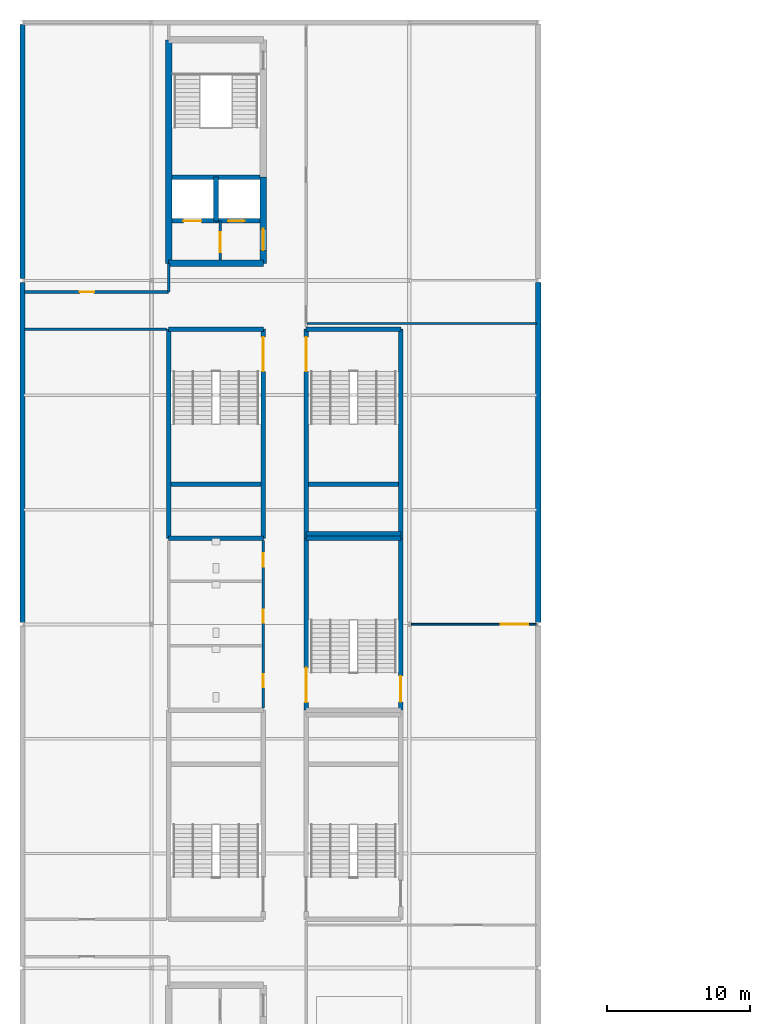
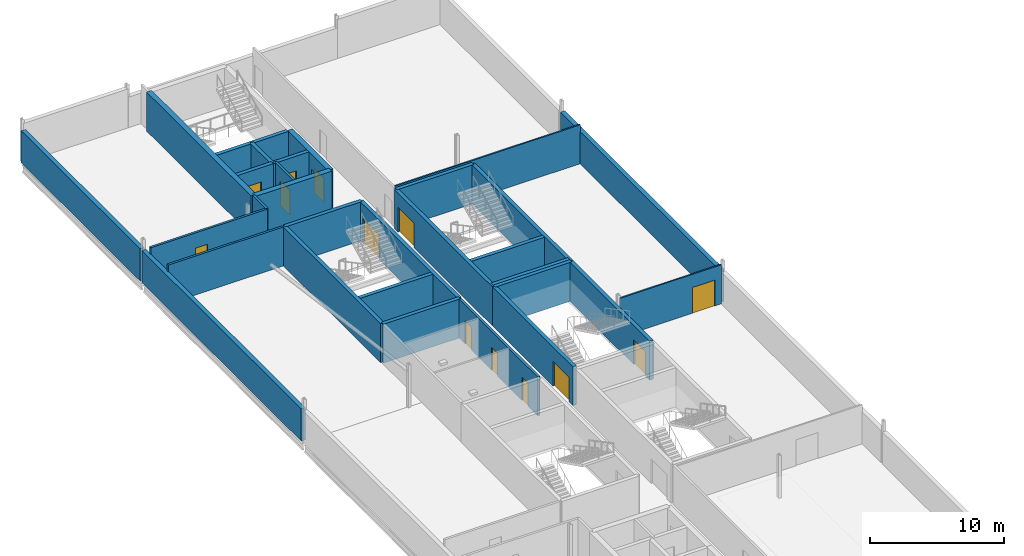
# One storey, part 15 of 30: 30 walls, 13 doors, 13 openings.
"""IFC4 building model written with IfcOpenShell, lengths in metres."""

from ifc_helpers import new_model, si_unit, direction, frame, frame_2d, origin, place, context, subcontext, project, spatial, rectangle, extrude, material, layer, layer_set, type_object, element, fill, save


model = new_model("IFC4")

# Units and contexts
model_context = context("Model", 3, precision=1e-05, world=origin(), true_north=direction((0.0, 1.0)))
body_context = subcontext(model_context, "Body", "Model", "MODEL_VIEW")
ifc_project = project(units=[si_unit("LENGTHUNIT", "METRE"), si_unit("AREAUNIT", "SQUARE_METRE"), si_unit("VOLUMEUNIT", "CUBIC_METRE"), si_unit("PLANEANGLEUNIT", "RADIAN"), si_unit("MASSUNIT", "GRAM", prefix="KILO")], contexts=[model_context])

# Site, building, storey
site_placement = place(None, origin())
site = spatial("IfcSite", under=ifc_project, at=site_placement, CompositionType="ELEMENT")
building_placement = place(site_placement, origin())
building = spatial("IfcBuilding", under=site, at=building_placement, Name="Kisiwana Market Hall", CompositionType="ELEMENT")
storey_placement = place(building_placement, frame((0.0, 0.0, 54.0)))
storey = spatial("IfcBuildingStorey", under=building, at=storey_placement, Name="L12", CompositionType="ELEMENT", Elevation=54.0)

# Wall, opening, door
ifc_material_1 = material(Name="Masonry blockwork", Category="masonry")
ifc_layer_1 = layer(ifc_material_1, 0.199951171875, Name="Plastered fire compartment block wall")
ifc_layer_set_1 = layer_set([ifc_layer_1], Name="WL-COMP-200")
wall_type_1 = type_object("IfcWallType", Name="WL-COMP-200", PredefinedType="PARTITIONING", material=ifc_layer_set_1)
wall_1_placement = place(storey_placement, frame((13.800048828125, 85.425048828125, 0.0), z_axis=(0.0, 0.0, 1.0), x_axis=(0.0, 1.0, 0.0)))
wall_1 = element("IfcWall", 1, at=wall_1_placement, inside=storey, type_object=wall_type_1, Name="Core W1 firefighting lobby wall W-3012", PredefinedType="PARTITIONING", context=body_context, shape_type="SweptSolid", body=[
    extrude(rectangle(XDim=2.72998046875, YDim=0.199951171875, at=frame_2d((1.364990234375, 0.0))), origin(), (0.0, 0.0, 1.0), 3.544921875),
])
opening_1_placement = place(wall_1_placement, frame((0.550048828125, 0.0, 0.0)))
opening_1 = element("IfcOpeningElement", 2, at=opening_1_placement, cuts=wall_1, Name="Opening DR-L12-006", PredefinedType="OPENING", context=body_context, shape_type="SweptSolid", body=[
    extrude(rectangle(XDim=1.39990234375, YDim=2.25, at=frame_2d((0.699951171875, 1.125))), frame((0.0, 0.11181640625, 0.0), z_axis=(0.0, -1.0, 0.0), x_axis=(1.0, 0.0, 0.0)), (0.0, 0.0, 1.0), 0.223876953125),
])
ifc_material_2 = material(Name="Steel S275", Category="steel")
door_type_1 = type_object("IfcDoorType", Name="DR-FFLOB-FD120-1400", OperationType="DOUBLE_DOOR_SINGLE_SWING", PredefinedType="DOOR", material=ifc_material_2)
door_1_placement = place(opening_1_placement, frame((1.39990234375, 0.0, 0.0), z_axis=(0.0, 0.0, 1.0), x_axis=(-1.0, 0.0, 0.0)))
door_1 = element("IfcDoor", 3, at=door_1_placement, inside=storey, type_object=door_type_1, Name="Firefighting Lift Lobby W1 Door (L12)", OperationType="DOUBLE_DOOR_SINGLE_SWING", OverallHeight=2.25, OverallWidth=1.39990234375, PredefinedType="DOOR", context=body_context, shape_type="SweptSolid", body=[
    extrude(rectangle(XDim=1.39990234375, YDim=2.25, at=frame_2d((0.699951171875, 1.125))), frame((0.0, 0.02490234375, 0.0), z_axis=(0.0, -1.0, 0.0), x_axis=(1.0, 0.0, 0.0)), (0.0, 0.0, 1.0), 0.050048828125),
])
fill(opening_1, door_1)

# Wall, openings, doors
wall_2_placement = place(storey_placement, frame((16.800048828125, 54.159912109375, 0.0), z_axis=(0.0, 0.0, 1.0), x_axis=(0.0, 1.0, 0.0)))
wall_2 = element("IfcWall", 4, at=wall_2_placement, inside=storey, type_object=wall_type_1, Name="Interior partition W-3016", PredefinedType="PARTITIONING", context=body_context, shape_type="SweptSolid", body=[
    extrude(rectangle(XDim=11.68017578125, YDim=0.199951171875, at=frame_2d((5.840087890625, 0.0))), origin(), (0.0, 0.0, 1.0), 3.544921875),
])
opening_2_placement = place(wall_2_placement, frame((1.43994140625, 0.0, 0.0)))
opening_2 = element("IfcOpeningElement", 5, at=opening_2_placement, cuts=wall_2, Name="Opening DR-L12-027", PredefinedType="OPENING", context=body_context, shape_type="SweptSolid", body=[
    extrude(rectangle(XDim=0.89990234375, YDim=2.10009765625, at=frame_2d((0.449951171875, 1.050048828125))), frame((0.0, 0.11181640625, 0.0), z_axis=(0.0, -1.0, 0.0), x_axis=(1.0, 0.0, 0.0)), (0.0, 0.0, 1.0), 0.223876953125),
])
opening_3_placement = place(wall_2_placement, frame((5.93994140625, 0.0, 0.0)))
opening_3 = element("IfcOpeningElement", 6, at=opening_3_placement, cuts=wall_2, Name="Opening DR-L12-028", PredefinedType="OPENING", context=body_context, shape_type="SweptSolid", body=[
    extrude(rectangle(XDim=0.89990234375, YDim=2.10009765625, at=frame_2d((0.449951171875, 1.050048828125))), frame((0.0, 0.11181640625, 0.0), z_axis=(0.0, -1.0, 0.0), x_axis=(1.0, 0.0, 0.0)), (0.0, 0.0, 1.0), 0.223876953125),
])
opening_4_placement = place(wall_2_placement, frame((9.840087890625, 0.0, 0.0)))
opening_4 = element("IfcOpeningElement", 7, at=opening_4_placement, cuts=wall_2, Name="Opening DR-L12-029", PredefinedType="OPENING", context=body_context, shape_type="SweptSolid", body=[
    extrude(rectangle(XDim=0.949951171875, YDim=2.10009765625, at=frame_2d((0.47509765625, 1.050048828125))), frame((0.0, 0.11181640625, 0.0), z_axis=(0.0, -1.0, 0.0), x_axis=(1.0, 0.0, 0.0)), (0.0, 0.0, 1.0), 0.223876953125),
])
ifc_material_3 = material(Name="Aluminium alloy 6063-T6", Category="aluminium")
door_type_2 = type_object("IfcDoorType", Name="DR-WC-ACC-950", OperationType="NOTDEFINED", PredefinedType="DOOR", material=ifc_material_3)
door_2_placement = place(opening_4_placement, origin())
door_2 = element("IfcDoor", 8, at=door_2_placement, inside=storey, type_object=door_type_2, Name="L12 W Accessible WC Door", OperationType="SINGLE_SWING_RIGHT", OverallHeight=2.10009765625, OverallWidth=0.949951171875, PredefinedType="DOOR", context=body_context, shape_type="SweptSolid", body=[
    extrude(rectangle(XDim=0.949951171875, YDim=2.10009765625, at=frame_2d((0.47509765625, 1.050048828125))), frame((0.0, 0.02490234375, 0.0), z_axis=(0.0, -1.0, 0.0), x_axis=(1.0, 0.0, 0.0)), (0.0, 0.0, 1.0), 0.050048828125),
])
fill(opening_4, door_2)
ifc_material_4 = material(Name="Aluminium alloy 6063-T6", Category="aluminium")
door_type_3 = type_object("IfcDoorType", Name="DR-WC-STD-900", OperationType="NOTDEFINED", PredefinedType="DOOR", material=ifc_material_4)
door_3_placement = place(opening_2_placement, origin())
door_3 = element("IfcDoor", 9, at=door_3_placement, inside=storey, type_object=door_type_3, Name="L12 W Male Toilet Door", OperationType="SINGLE_SWING_LEFT", OverallHeight=2.10009765625, OverallWidth=0.89990234375, PredefinedType="DOOR", context=body_context, shape_type="SweptSolid", body=[
    extrude(rectangle(XDim=0.89990234375, YDim=2.10009765625, at=frame_2d((0.449951171875, 1.050048828125))), frame((0.0, 0.02490234375, 0.0), z_axis=(0.0, -1.0, 0.0), x_axis=(1.0, 0.0, 0.0)), (0.0, 0.0, 1.0), 0.050048828125),
])
fill(opening_2, door_3)
door_4_placement = place(opening_3_placement, origin())
door_4 = element("IfcDoor", 10, at=door_4_placement, inside=storey, type_object=door_type_3, Name="L12 W Female Toilet Door", OperationType="SINGLE_SWING_RIGHT", OverallHeight=2.10009765625, OverallWidth=0.89990234375, PredefinedType="DOOR", context=body_context, shape_type="SweptSolid", body=[
    extrude(rectangle(XDim=0.89990234375, YDim=2.10009765625, at=frame_2d((0.449951171875, 1.050048828125))), frame((0.0, 0.02490234375, 0.0), z_axis=(0.0, -1.0, 0.0), x_axis=(1.0, 0.0, 0.0)), (0.0, 0.0, 1.0), 0.050048828125),
])
fill(opening_3, door_4)

# Walls
ifc_material_5 = material(Name="Concrete C40/50", Category="concrete")
ifc_layer_2 = layer(ifc_material_5, 0.320068359375, Name="Reinforced concrete shaft wall")
ifc_layer_set_2 = layer_set([ifc_layer_2], Name="WL-CORE-320")
wall_type_2 = type_object("IfcWallType", Name="WL-CORE-320", PredefinedType="SHEAR", material=ifc_layer_set_2)
wall_3_placement = place(storey_placement, frame((10.425048828125, 91.215087890625, 0.0), z_axis=(0.0, 0.0, 1.0), x_axis=(1.0, 0.0, 0.0)))
element("IfcWall", 11, at=wall_3_placement, inside=storey, type_object=wall_type_2, Name="Core W1 shaft back shear wall W-2913", PredefinedType="SHEAR", context=body_context, shape_type="SweptSolid", body=[
    extrude(rectangle(XDim=6.14990234375, YDim=0.320068359375, at=frame_2d((3.074951171875, 0.0))), origin(), (0.0, 0.0, 1.0), 3.544921875),
])
wall_4_placement = place(storey_placement, frame((13.5, 88.155029296875, 0.0), z_axis=(0.0, 0.0, 1.0), x_axis=(0.0, 1.0, 0.0)))
element("IfcWall", 12, at=wall_4_placement, inside=storey, type_object=wall_type_2, Name="Core W1 inter-shaft shear wall W-2914", PredefinedType="SHEAR", context=body_context, shape_type="SweptSolid", body=[
    extrude(rectangle(XDim=3.06005859375, YDim=0.320068359375, at=frame_2d((1.530029296875, 0.0))), origin(), (0.0, 0.0, 1.0), 3.544921875),
])

# Wall, opening, door
wall_5_placement = place(storey_placement, frame((10.425048828125, 88.155029296875, 0.0), z_axis=(0.0, 0.0, 1.0), x_axis=(1.0, 0.0, 0.0)))
wall_5 = element("IfcWall", 13, at=wall_5_placement, inside=storey, type_object=wall_type_2, Name="Core W1 west lift front wall W-2915", PredefinedType="SHEAR", context=body_context, shape_type="SweptSolid", body=[
    extrude(rectangle(XDim=3.074951171875, YDim=0.320068359375, at=frame_2d((1.53759765625, 0.0))), origin(), (0.0, 0.0, 1.0), 3.544921875),
])
opening_5_placement = place(wall_5_placement, frame((0.800048828125, 0.0, 0.0)))
opening_5 = element("IfcOpeningElement", 14, at=opening_5_placement, cuts=wall_5, Name="Opening LD-L12-003", PredefinedType="OPENING", context=body_context, shape_type="SweptSolid", body=[
    extrude(rectangle(XDim=1.25, YDim=2.25, at=frame_2d((0.625, 1.125))), frame((0.0, 0.171875, 0.0), z_axis=(0.0, -1.0, 0.0), x_axis=(1.0, 0.0, 0.0)), (0.0, 0.0, 1.0), 0.343994140625),
])
ifc_material_6 = material(Name="Steel S275", Category="steel")
door_type_4 = type_object("IfcDoorType", Name="DR-LIFT-FFL-1250", OperationType="DOUBLE_DOOR_SLIDING", PredefinedType="DOOR", material=ifc_material_6)
door_5_placement = place(opening_5_placement, origin())
door_5 = element("IfcDoor", 15, at=door_5_placement, inside=storey, type_object=door_type_4, Name="Lift Landing Door FFL-02 (L12)", OperationType="DOUBLE_DOOR_SLIDING", OverallHeight=2.25, OverallWidth=1.25, PredefinedType="DOOR", context=body_context, shape_type="SweptSolid", body=[
    extrude(rectangle(XDim=1.25, YDim=2.25, at=frame_2d((0.625, 1.125))), frame((0.0, 0.02490234375, 0.0), z_axis=(0.0, -1.0, 0.0), x_axis=(1.0, 0.0, 0.0)), (0.0, 0.0, 1.0), 0.050048828125),
])
fill(opening_5, door_5)

wall_6_placement = place(storey_placement, frame((13.5, 88.155029296875, 0.0), z_axis=(0.0, 0.0, 1.0), x_axis=(1.0, 0.0, 0.0)))
wall_6 = element("IfcWall", 16, at=wall_6_placement, inside=storey, type_object=wall_type_2, Name="Core W1 east lift front wall W-2916", PredefinedType="SHEAR", context=body_context, shape_type="SweptSolid", body=[
    extrude(rectangle(XDim=3.074951171875, YDim=0.320068359375, at=frame_2d((1.53759765625, 0.0))), origin(), (0.0, 0.0, 1.0), 3.544921875),
])
opening_6_placement = place(wall_6_placement, frame((0.85009765625, 0.0, 0.0)))
opening_6 = element("IfcOpeningElement", 17, at=opening_6_placement, cuts=wall_6, Name="Opening LD-L12-004", PredefinedType="OPENING", context=body_context, shape_type="SweptSolid", body=[
    extrude(rectangle(XDim=1.14990234375, YDim=2.199951171875, at=frame_2d((0.574951171875, 1.10009765625))), frame((0.0, 0.171875, 0.0), z_axis=(0.0, -1.0, 0.0), x_axis=(1.0, 0.0, 0.0)), (0.0, 0.0, 1.0), 0.343994140625),
])
ifc_material_7 = material(Name="Steel S275", Category="steel")
door_type_5 = type_object("IfcDoorType", Name="DR-LIFT-PAX-1150", OperationType="DOUBLE_DOOR_SLIDING", PredefinedType="DOOR", material=ifc_material_7)
door_6_placement = place(opening_6_placement, origin())
door_6 = element("IfcDoor", 18, at=door_6_placement, inside=storey, type_object=door_type_5, Name="Lift Landing Door LP-02 (L12)", OperationType="DOUBLE_DOOR_SLIDING", OverallHeight=2.199951171875, OverallWidth=1.14990234375, PredefinedType="DOOR", context=body_context, shape_type="SweptSolid", body=[
    extrude(rectangle(XDim=1.14990234375, YDim=2.199951171875, at=frame_2d((0.574951171875, 1.10009765625))), frame((0.0, 0.02490234375, 0.0), z_axis=(0.0, -1.0, 0.0), x_axis=(1.0, 0.0, 0.0)), (0.0, 0.0, 1.0), 0.050048828125),
])
fill(opening_6, door_6)

# Walls
for number, where, z_axis, x_axis, name in (
    (19, (10.199951171875, 66.0, 0.0), (0.0, 0.0, 1.0), (1.0, 0.0, 0.0), "Core W4 south shear wall W-2940"),
    (20, (10.199951171875, 80.60009765625, 0.0), (0.0, 0.0, 1.0), (1.0, 0.0, 0.0), "Core W4 north shear wall W-2941"),
):
    element("IfcWall", number, at=place(storey_placement, frame(where, z_axis=z_axis, x_axis=x_axis)), inside=storey, type_object=wall_type_2, Name=name, PredefinedType="SHEAR", context=body_context, shape_type="SweptSolid", body=[
        extrude(rectangle(XDim=6.60009765625, YDim=0.320068359375, at=frame_2d((3.300048828125, 0.0))), origin(), (0.0, 0.0, 1.0), 3.544921875),
    ])
wall_7_placement = place(storey_placement, frame((10.199951171875, 66.0, 0.0), z_axis=(0.0, 0.0, 1.0), x_axis=(0.0, 1.0, 0.0)))
element("IfcWall", 21, at=wall_7_placement, inside=storey, type_object=wall_type_2, Name="Core W4 outer shear wall W-2942", PredefinedType="SHEAR", context=body_context, shape_type="SweptSolid", body=[
    extrude(rectangle(XDim=14.60009765625, YDim=0.320068359375, at=frame_2d((7.300048828125, 0.0))), origin(), (0.0, 0.0, 1.0), 3.544921875),
])

# Wall, opening, door
wall_8_placement = place(storey_placement, frame((16.800048828125, 66.0, 0.0), z_axis=(0.0, 0.0, 1.0), x_axis=(0.0, 1.0, 0.0)))
wall_8 = element("IfcWall", 22, at=wall_8_placement, inside=storey, type_object=wall_type_2, Name="Core W4 corridor shear wall W-2943", PredefinedType="SHEAR", context=body_context, shape_type="SweptSolid", body=[
    extrude(rectangle(XDim=14.60009765625, YDim=0.320068359375, at=frame_2d((7.300048828125, 0.0))), origin(), (0.0, 0.0, 1.0), 3.544921875),
])
opening_7_placement = place(wall_8_placement, frame((11.64990234375, 0.0, 0.0)))
opening_7 = element("IfcOpeningElement", 23, at=opening_7_placement, cuts=wall_8, Name="Opening DR-L12-014", PredefinedType="OPENING", context=body_context, shape_type="SweptSolid", body=[
    extrude(rectangle(XDim=2.39990234375, YDim=2.25, at=frame_2d((1.199951171875, 1.125))), frame((0.0, 0.171875, 0.0), z_axis=(0.0, -1.0, 0.0), x_axis=(1.0, 0.0, 0.0)), (0.0, 0.0, 1.0), 0.343994140625),
])
ifc_material_8 = material(Name="Steel S275", Category="steel")
door_type_6 = type_object("IfcDoorType", Name="DR-STAIR-FD120-2400", OperationType="DOUBLE_DOOR_SINGLE_SWING", PredefinedType="DOOR", material=ifc_material_8)
door_7_placement = place(opening_7_placement, origin())
door_7 = element("IfcDoor", 24, at=door_7_placement, inside=storey, type_object=door_type_6, Name="Escape Stair W4 Fire Door (L12)", OperationType="DOUBLE_DOOR_SINGLE_SWING", OverallHeight=2.25, OverallWidth=2.39990234375, PredefinedType="DOOR", context=body_context, shape_type="SweptSolid", body=[
    extrude(rectangle(XDim=2.39990234375, YDim=2.25, at=frame_2d((1.199951171875, 1.125))), frame((0.0, 0.02490234375, 0.0), z_axis=(0.0, -1.0, 0.0), x_axis=(1.0, 0.0, 0.0)), (0.0, 0.0, 1.0), 0.050048828125),
])
fill(opening_7, door_7)

# Walls
wall_9_placement = place(storey_placement, frame((10.360107421875, 69.780029296875, 0.0), z_axis=(0.0, 0.0, 1.0), x_axis=(1.0, 0.0, 0.0)))
element("IfcWall", 25, at=wall_9_placement, inside=storey, type_object=wall_type_2, Name="Core W4 riser divider shear wall W-2944", PredefinedType="SHEAR", context=body_context, shape_type="SweptSolid", body=[
    extrude(rectangle(XDim=6.27978515625, YDim=0.320068359375, at=frame_2d((3.139892578125, 0.0))), origin(), (0.0, 0.0, 1.0), 3.544921875),
])
for number, where, z_axis, x_axis, name in (
    (26, (19.800048828125, 66.0, 0.0), (0.0, 0.0, 1.0), (1.0, 0.0, 0.0), "Core W8 south shear wall W-2965"),
    (27, (19.800048828125, 80.60009765625, 0.0), (0.0, 0.0, 1.0), (1.0, 0.0, 0.0), "Core W8 north shear wall W-2966"),
):
    element("IfcWall", number, at=place(storey_placement, frame(where, z_axis=z_axis, x_axis=x_axis)), inside=storey, type_object=wall_type_2, Name=name, PredefinedType="SHEAR", context=body_context, shape_type="SweptSolid", body=[
        extrude(rectangle(XDim=6.599853515625, YDim=0.320068359375, at=frame_2d((3.2998046875, 0.0))), origin(), (0.0, 0.0, 1.0), 3.544921875),
    ])

# Wall, opening, door
wall_10_placement = place(storey_placement, frame((19.800048828125, 66.0, 0.0), z_axis=(0.0, 0.0, 1.0), x_axis=(0.0, 1.0, 0.0)))
wall_10 = element("IfcWall", 28, at=wall_10_placement, inside=storey, type_object=wall_type_2, Name="Core W8 corridor shear wall W-2967", PredefinedType="SHEAR", context=body_context, shape_type="SweptSolid", body=[
    extrude(rectangle(XDim=14.60009765625, YDim=0.320068359375, at=frame_2d((7.300048828125, 0.0))), origin(), (0.0, 0.0, 1.0), 3.544921875),
])
opening_8_placement = place(wall_10_placement, frame((11.64990234375, 0.0, 0.0)))
opening_8 = element("IfcOpeningElement", 29, at=opening_8_placement, cuts=wall_10, Name="Opening DR-L12-021", PredefinedType="OPENING", context=body_context, shape_type="SweptSolid", body=[
    extrude(rectangle(XDim=2.39990234375, YDim=2.25, at=frame_2d((1.199951171875, 1.125))), frame((0.0, 0.171875, 0.0), z_axis=(0.0, -1.0, 0.0), x_axis=(1.0, 0.0, 0.0)), (0.0, 0.0, 1.0), 0.343994140625),
])
door_8_placement = place(opening_8_placement, frame((2.39990234375, 0.0, 0.0), z_axis=(0.0, 0.0, 1.0), x_axis=(-1.0, 0.0, 0.0)))
door_8 = element("IfcDoor", 30, at=door_8_placement, inside=storey, type_object=door_type_6, Name="Escape Stair W8 Fire Door (L12)", OperationType="DOUBLE_DOOR_SINGLE_SWING", OverallHeight=2.25, OverallWidth=2.39990234375, PredefinedType="DOOR", context=body_context, shape_type="SweptSolid", body=[
    extrude(rectangle(XDim=2.39990234375, YDim=2.25, at=frame_2d((1.199951171875, 1.125))), frame((0.0, 0.02490234375, 0.0), z_axis=(0.0, -1.0, 0.0), x_axis=(1.0, 0.0, 0.0)), (0.0, 0.0, 1.0), 0.050048828125),
])
fill(opening_8, door_8)

# Walls
wall_11_placement = place(storey_placement, frame((26.39990234375, 66.0, 0.0), z_axis=(0.0, 0.0, 1.0), x_axis=(0.0, 1.0, 0.0)))
element("IfcWall", 31, at=wall_11_placement, inside=storey, type_object=wall_type_2, Name="Core W8 outer shear wall W-2968", PredefinedType="SHEAR", context=body_context, shape_type="SweptSolid", body=[
    extrude(rectangle(XDim=14.60009765625, YDim=0.320068359375, at=frame_2d((7.300048828125, 0.0))), origin(), (0.0, 0.0, 1.0), 3.544921875),
])
wall_12_placement = place(storey_placement, frame((19.9599609375, 69.780029296875, 0.0), z_axis=(0.0, 0.0, 1.0), x_axis=(1.0, 0.0, 0.0)))
element("IfcWall", 32, at=wall_12_placement, inside=storey, type_object=wall_type_2, Name="Core W8 riser divider shear wall W-2969", PredefinedType="SHEAR", context=body_context, shape_type="SweptSolid", body=[
    extrude(rectangle(XDim=6.280029296875, YDim=0.320068359375, at=frame_2d((3.14013671875, 0.0))), origin(), (0.0, 0.0, 1.0), 3.544921875),
])
wall_13_placement = place(storey_placement, frame((19.800048828125, 66.320068359375, 0.0), z_axis=(0.0, 0.0, 1.0), x_axis=(1.0, 0.0, 0.0)))
element("IfcWall", 33, at=wall_13_placement, inside=storey, type_object=wall_type_2, Name="Core W5 north shear wall W-2976", PredefinedType="SHEAR", context=body_context, shape_type="SweptSolid", body=[
    extrude(rectangle(XDim=6.599853515625, YDim=0.320068359375, at=frame_2d((3.2998046875, 0.0))), origin(), (0.0, 0.0, 1.0), 3.544921875),
])

# Wall, opening, door
wall_14_placement = place(storey_placement, frame((19.800048828125, 54.0, 0.0), z_axis=(0.0, 0.0, 1.0), x_axis=(0.0, 1.0, 0.0)))
wall_14 = element("IfcWall", 34, at=wall_14_placement, inside=storey, type_object=wall_type_2, Name="Core W5 corridor shear wall W-2977", PredefinedType="SHEAR", context=body_context, shape_type="SweptSolid", body=[
    extrude(rectangle(XDim=12.0, YDim=0.320068359375, at=frame_2d((6.0, 0.0))), origin(), (0.0, 0.0, 1.0), 3.544921875),
])
opening_9_placement = place(wall_14_placement, frame((0.550048828125, 0.0, 0.0)))
opening_9 = element("IfcOpeningElement", 35, at=opening_9_placement, cuts=wall_14, Name="Opening DR-L12-023", PredefinedType="OPENING", context=body_context, shape_type="SweptSolid", body=[
    extrude(rectangle(XDim=2.39990234375, YDim=2.25, at=frame_2d((1.199951171875, 1.125))), frame((0.0, 0.171875, 0.0), z_axis=(0.0, -1.0, 0.0), x_axis=(1.0, 0.0, 0.0)), (0.0, 0.0, 1.0), 0.343994140625),
])
door_9_placement = place(opening_9_placement, frame((2.39990234375, 0.0, 0.0), z_axis=(0.0, 0.0, 1.0), x_axis=(-1.0, 0.0, 0.0)))
door_9 = element("IfcDoor", 36, at=door_9_placement, inside=storey, type_object=door_type_6, Name="Escape Stair W5 Fire Door (L12)", OperationType="DOUBLE_DOOR_SINGLE_SWING", OverallHeight=2.25, OverallWidth=2.39990234375, PredefinedType="DOOR", context=body_context, shape_type="SweptSolid", body=[
    extrude(rectangle(XDim=2.39990234375, YDim=2.25, at=frame_2d((1.199951171875, 1.125))), frame((0.0, 0.02490234375, 0.0), z_axis=(0.0, -1.0, 0.0), x_axis=(1.0, 0.0, 0.0)), (0.0, 0.0, 1.0), 0.050048828125),
])
fill(opening_9, door_9)

wall_15_placement = place(storey_placement, frame((26.39990234375, 54.0, 0.0), z_axis=(0.0, 0.0, 1.0), x_axis=(0.0, 1.0, 0.0)))
wall_15 = element("IfcWall", 37, at=wall_15_placement, inside=storey, type_object=wall_type_2, Name="Core W5 outer shear wall W-2978", PredefinedType="SHEAR", context=body_context, shape_type="SweptSolid", body=[
    extrude(rectangle(XDim=12.0, YDim=0.320068359375, at=frame_2d((6.0, 0.0))), origin(), (0.0, 0.0, 1.0), 3.544921875),
])
opening_10_placement = place(wall_15_placement, frame((0.580078125, 0.0, 0.0)))
opening_10 = element("IfcOpeningElement", 38, at=opening_10_placement, cuts=wall_15, Name="Opening DR-L12-024", PredefinedType="OPENING", context=body_context, shape_type="SweptSolid", body=[
    extrude(rectangle(XDim=1.800048828125, YDim=2.25, at=frame_2d((0.89990234375, 1.125))), frame((0.0, 0.171875, 0.0), z_axis=(0.0, -1.0, 0.0), x_axis=(1.0, 0.0, 0.0)), (0.0, 0.0, 1.0), 0.343994140625),
])
ifc_material_9 = material(Name="Steel S275", Category="steel")
door_type_7 = type_object("IfcDoorType", Name="DR-STAIR-FD120-1800", OperationType="DOUBLE_DOOR_SINGLE_SWING", PredefinedType="DOOR", material=ifc_material_9)
door_10_placement = place(opening_10_placement, origin())
door_10 = element("IfcDoor", 39, at=door_10_placement, inside=storey, type_object=door_type_7, Name="Escape Stair W5 Room Door (L12)", OperationType="DOUBLE_DOOR_SINGLE_SWING", OverallHeight=2.25, OverallWidth=1.800048828125, PredefinedType="DOOR", context=body_context, shape_type="SweptSolid", body=[
    extrude(rectangle(XDim=1.800048828125, YDim=2.25, at=frame_2d((0.89990234375, 1.125))), frame((0.0, 0.02490234375, 0.0), z_axis=(0.0, -1.0, 0.0), x_axis=(1.0, 0.0, 0.0)), (0.0, 0.0, 1.0), 0.050048828125),
])
fill(opening_10, door_10)

# Walls
ifc_material_10 = material(Name="Concrete C40/50", Category="concrete")
ifc_layer_3 = layer(ifc_material_10, 0.449951171875, Name="Reinforced concrete core wall")
ifc_layer_set_3 = layer_set([ifc_layer_3], Name="WL-CORE-450")
wall_type_3 = type_object("IfcWallType", Name="WL-CORE-450", PredefinedType="SHEAR", material=ifc_layer_set_3)
wall_16_placement = place(storey_placement, frame((10.199951171875, 85.199951171875, 0.0), z_axis=(0.0, 0.0, 1.0), x_axis=(1.0, 0.0, 0.0)))
element("IfcWall", 40, at=wall_16_placement, inside=storey, type_object=wall_type_3, Name="Core W1 south shear wall W-2908", PredefinedType="SHEAR", context=body_context, shape_type="SweptSolid", body=[
    extrude(rectangle(XDim=6.60009765625, YDim=0.449951171875, at=frame_2d((3.300048828125, 0.0))), origin(), (0.0, 0.0, 1.0), 3.544921875),
])
wall_17_placement = place(storey_placement, frame((10.199951171875, 85.199951171875, 0.0), z_axis=(0.0, 0.0, 1.0), x_axis=(0.0, 1.0, 0.0)))
element("IfcWall", 41, at=wall_17_placement, inside=storey, type_object=wall_type_3, Name="Core W1 outer shear wall W-2910", PredefinedType="SHEAR", context=body_context, shape_type="SweptSolid", body=[
    extrude(rectangle(XDim=15.60009765625, YDim=0.449951171875, at=frame_2d((7.800048828125, 0.0))), origin(), (0.0, 0.0, 1.0), 3.544921875),
])

# Wall, opening, door
wall_18_placement = place(storey_placement, frame((16.800048828125, 85.199951171875, 0.0), z_axis=(0.0, 0.0, 1.0), x_axis=(0.0, 1.0, 0.0)))
wall_18 = element("IfcWall", 42, at=wall_18_placement, inside=storey, type_object=wall_type_3, Name="Core W1 lobby corridor shear wall W-2911", PredefinedType="SHEAR", context=body_context, shape_type="SweptSolid", body=[
    extrude(rectangle(XDim=6.01513671875, YDim=0.449951171875, at=frame_2d((3.007568359375, 0.0))), origin(), (0.0, 0.0, 1.0), 3.544921875),
])
opening_11_placement = place(wall_18_placement, frame((0.89990234375, 0.0, 0.0)))
opening_11 = element("IfcOpeningElement", 43, at=opening_11_placement, cuts=wall_18, Name="Opening DR-L12-004", PredefinedType="OPENING", context=body_context, shape_type="SweptSolid", body=[
    extrude(rectangle(XDim=1.5, YDim=2.199951171875, at=frame_2d((0.75, 1.10009765625))), frame((0.0, 0.23681640625, 0.0), z_axis=(0.0, -1.0, 0.0), x_axis=(1.0, 0.0, 0.0)), (0.0, 0.0, 1.0), 0.473876953125),
])
ifc_material_11 = material(Name="Steel S275", Category="steel")
door_type_8 = type_object("IfcDoorType", Name="DR-CORR-FD60-1500", OperationType="DOUBLE_DOOR_SINGLE_SWING", PredefinedType="DOOR", material=ifc_material_11)
door_11_placement = place(opening_11_placement, frame((1.5, 0.0, 0.0), z_axis=(0.0, 0.0, 1.0), x_axis=(-1.0, 0.0, 0.0)))
door_11 = element("IfcDoor", 44, at=door_11_placement, inside=storey, type_object=door_type_8, Name="Passenger Lift Lobby W1 Smoke Door (L12)", OperationType="DOUBLE_DOOR_SINGLE_SWING", OverallHeight=2.199951171875, OverallWidth=1.5, PredefinedType="DOOR", context=body_context, shape_type="SweptSolid", body=[
    extrude(rectangle(XDim=1.5, YDim=2.199951171875, at=frame_2d((0.75, 1.10009765625))), frame((0.0, 0.02490234375, 0.0), z_axis=(0.0, -1.0, 0.0), x_axis=(1.0, 0.0, 0.0)), (0.0, 0.0, 1.0), 0.050048828125),
])
fill(opening_11, door_11)

# Walls
ifc_material_12 = material(Name="Concrete C40/50 precast", Category="concrete")
ifc_layer_4 = layer(ifc_material_12, 0.364990234375)
ifc_layer_set_4 = layer_set([ifc_layer_4], Name="WL-EXT-365")
wall_type_4 = type_object("IfcWallType", Name="WL-EXT-365", PredefinedType="STANDARD", material=ifc_layer_set_4)
wall_19_placement = place(storey_placement, frame((0.0, 60.131591796875, 0.0), z_axis=(0.0, 0.0, 1.0), x_axis=(0.0, 1.0, 0.0)))
element("IfcWall", 45, at=wall_19_placement, inside=storey, type_object=wall_type_4, Name="Exterior wall W-2997", PredefinedType="STANDARD", context=body_context, shape_type="SweptSolid", body=[
    extrude(rectangle(XDim=23.73681640625, YDim=0.364990234375, at=frame_2d((11.868408203125, 0.0))), origin(), (0.0, 0.0, 1.0), 2.932861328125),
])
wall_20_placement = place(storey_placement, frame((0.0, 84.131591796875, 0.0), z_axis=(0.0, 0.0, 1.0), x_axis=(0.0, 1.0, 0.0)))
element("IfcWall", 46, at=wall_20_placement, inside=storey, type_object=wall_type_4, Name="Exterior wall W-2998", PredefinedType="STANDARD", context=body_context, shape_type="SweptSolid", body=[
    extrude(rectangle(XDim=17.73681640625, YDim=0.364990234375, at=frame_2d((8.868408203125, 0.0))), origin(), (0.0, 0.0, 1.0), 2.932861328125),
])
wall_21_placement = place(storey_placement, frame((36.0, 60.131591796875, 0.0), z_axis=(0.0, 0.0, 1.0), x_axis=(0.0, 1.0, 0.0)))
element("IfcWall", 47, at=wall_21_placement, inside=storey, type_object=wall_type_4, Name="Exterior wall W-3001", PredefinedType="STANDARD", context=body_context, shape_type="SweptSolid", body=[
    extrude(rectangle(XDim=23.73681640625, YDim=0.364990234375, at=frame_2d((11.868408203125, 0.0))), origin(), (0.0, 0.0, 1.0), 2.932861328125),
])

# Wall, opening, door
ifc_material_13 = material(Name="Gypsum plasterboard")
ifc_layer_5 = layer(ifc_material_13, 0.125, Name="Double gypsum board + acoustic stud")
ifc_layer_set_5 = layer_set([ifc_layer_5], Name="WL-OFF-125")
wall_type_5 = type_object("IfcWallType", Name="WL-OFF-125", PredefinedType="PARTITIONING", material=ifc_layer_set_5)
wall_22_placement = place(storey_placement, frame((27.130126953125, 60.0, 0.0), z_axis=(0.0, 0.0, 1.0), x_axis=(1.0, 0.0, 0.0)))
wall_22 = element("IfcWall", 48, at=wall_22_placement, inside=storey, type_object=wall_type_5, Name="Interior partition W-3028", PredefinedType="PARTITIONING", context=body_context, shape_type="SweptSolid", body=[
    extrude(rectangle(XDim=8.724853515625, YDim=0.125, at=frame_2d((4.3623046875, 0.0))), origin(), (0.0, 0.0, 1.0), 3.544921875),
])
opening_12_placement = place(wall_22_placement, frame((6.25, 0.0, 0.0)))
opening_12 = element("IfcOpeningElement", 49, at=opening_12_placement, cuts=wall_22, Name="Opening DR-L12-034", PredefinedType="OPENING", context=body_context, shape_type="SweptSolid", body=[
    extrude(rectangle(XDim=1.89990234375, YDim=2.35009765625, at=frame_2d((0.949951171875, 1.175048828125))), frame((0.0, 0.074462890625, 0.0), z_axis=(0.0, -1.0, 0.0), x_axis=(1.0, 0.0, 0.0)), (0.0, 0.0, 1.0), 0.14892578125),
])
ifc_material_14 = material(Name="Steel S275", Category="steel")
door_type_9 = type_object("IfcDoorType", Name="DR-HALL-1900", OperationType="DOUBLE_DOOR_SINGLE_SWING", PredefinedType="DOOR", material=ifc_material_14)
door_12_placement = place(opening_12_placement, origin())
door_12 = element("IfcDoor", 50, at=door_12_placement, inside=storey, type_object=door_type_9, Name="L12 W Director Boardroom C2 Exit Door", OperationType="DOUBLE_DOOR_SINGLE_SWING", OverallHeight=2.35009765625, OverallWidth=1.89990234375, PredefinedType="DOOR", context=body_context, shape_type="SweptSolid", body=[
    extrude(rectangle(XDim=1.89990234375, YDim=2.35009765625, at=frame_2d((0.949951171875, 1.175048828125))), frame((0.0, 0.02490234375, 0.0), z_axis=(0.0, -1.0, 0.0), x_axis=(1.0, 0.0, 0.0)), (0.0, 0.0, 1.0), 0.050048828125),
])
fill(opening_12, door_12)

# Walls
wall_23_placement = place(storey_placement, frame((19.885009765625, 81.0, 0.0), z_axis=(0.0, 0.0, 1.0), x_axis=(1.0, 0.0, 0.0)))
element("IfcWall", 51, at=wall_23_placement, inside=storey, type_object=wall_type_5, Name="Interior partition W-3029", PredefinedType="PARTITIONING", context=body_context, shape_type="SweptSolid", body=[
    extrude(rectangle(XDim=15.969970703125, YDim=0.125, at=frame_2d((7.98486328125, 0.0))), origin(), (0.0, 0.0, 1.0), 3.544921875),
])
ifc_material_15 = material(Name="Concrete C32/40", Category="concrete")
ifc_layer_6 = layer(ifc_material_15, 0.18505859375)
ifc_layer_set_6 = layer_set([ifc_layer_6], Name="WL-PART-185")
wall_type_6 = type_object("IfcWallType", Name="WL-PART-185", PredefinedType="PARTITIONING", material=ifc_layer_set_6)
wall_24_placement = place(storey_placement, frame((10.199951171875, 83.199951171875, 0.0), z_axis=(0.0, 0.0, 1.0), x_axis=(0.0, 1.0, 0.0)))
element("IfcWall", 52, at=wall_24_placement, inside=storey, type_object=wall_type_6, Name="Interior partition W-3020", PredefinedType="PARTITIONING", context=body_context, shape_type="SweptSolid", body=[
    extrude(rectangle(XDim=2.0, YDim=0.18505859375, at=frame_2d((1.0, 0.0))), origin(), (0.0, 0.0, 1.0), 3.544921875),
])
wall_25_placement = place(storey_placement, frame((0.14501953125, 80.60009765625, 0.0), z_axis=(0.0, 0.0, 1.0), x_axis=(1.0, 0.0, 0.0)))
element("IfcWall", 53, at=wall_25_placement, inside=storey, type_object=wall_type_6, Name="Interior partition W-3025", PredefinedType="PARTITIONING", context=body_context, shape_type="SweptSolid", body=[
    extrude(rectangle(XDim=9.89501953125, YDim=0.18505859375, at=frame_2d((4.947509765625, 0.0))), origin(), (0.0, 0.0, 1.0), 3.544921875),
])

# Wall, opening, door
wall_26_placement = place(storey_placement, frame((0.14501953125, 83.199951171875, 0.0), z_axis=(0.0, 0.0, 1.0), x_axis=(1.0, 0.0, 0.0)))
wall_26 = element("IfcWall", 54, at=wall_26_placement, inside=storey, type_object=wall_type_6, Name="Interior partition W-3026", PredefinedType="PARTITIONING", context=body_context, shape_type="SweptSolid", body=[
    extrude(rectangle(XDim=10.054931640625, YDim=0.18505859375, at=frame_2d((5.02734375, 0.0))), origin(), (0.0, 0.0, 1.0), 3.544921875),
])
opening_13_placement = place(wall_26_placement, frame((3.85498046875, 0.0, 0.0)))
opening_13 = element("IfcOpeningElement", 55, at=opening_13_placement, cuts=wall_26, Name="Opening DR-L12-032", PredefinedType="OPENING", context=body_context, shape_type="SweptSolid", body=[
    extrude(rectangle(XDim=1.0, YDim=2.14990234375, at=frame_2d((0.5, 1.074951171875))), frame((0.0, 0.1044921875, 0.0), z_axis=(0.0, -1.0, 0.0), x_axis=(1.0, 0.0, 0.0)), (0.0, 0.0, 1.0), 0.208984375),
])
ifc_material_16 = material(Name="Aluminium alloy 6063-T6", Category="aluminium")
door_type_10 = type_object("IfcDoorType", Name="DR-OFF-1000", OperationType="NOTDEFINED", PredefinedType="DOOR", material=ifc_material_16)
door_13_placement = place(opening_13_placement, origin())
door_13 = element("IfcDoor", 56, at=door_13_placement, inside=storey, type_object=door_type_10, Name="L12 W Commercial Office North Door", OperationType="SINGLE_SWING_LEFT", OverallHeight=2.14990234375, OverallWidth=1.0, PredefinedType="DOOR", context=body_context, shape_type="SweptSolid", body=[
    extrude(rectangle(XDim=1.0, YDim=2.14990234375, at=frame_2d((0.5, 1.074951171875))), frame((0.0, 0.02490234375, 0.0), z_axis=(0.0, -1.0, 0.0), x_axis=(1.0, 0.0, 0.0)), (0.0, 0.0, 1.0), 0.050048828125),
])
fill(opening_13, door_13)

save(model, "model.ifc")
